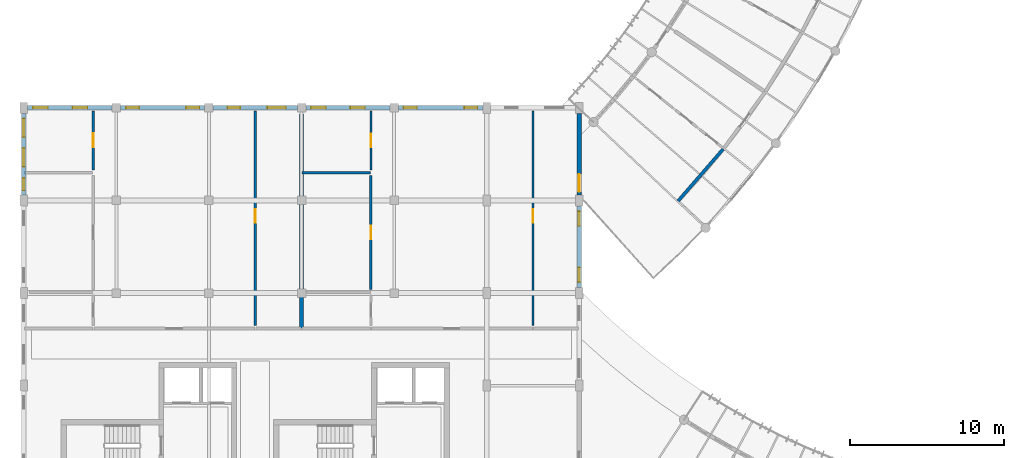
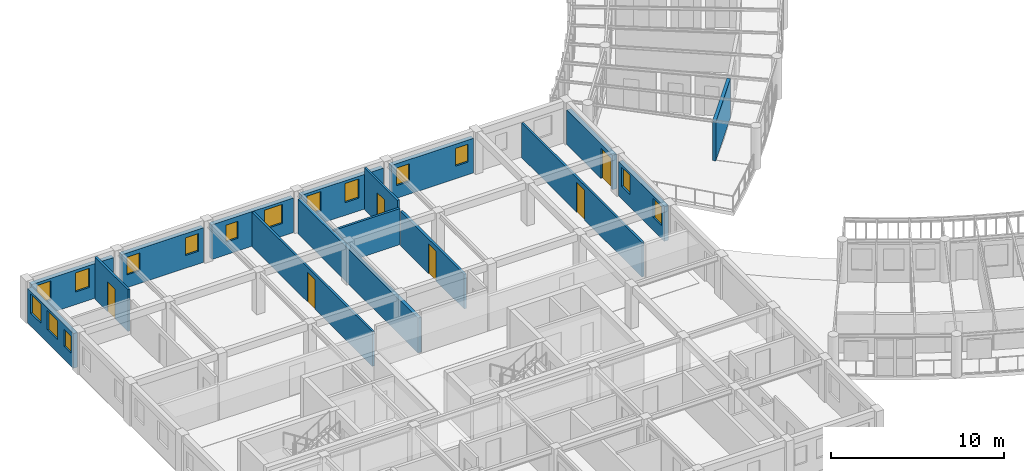
# One storey, part 59 of 101: 16 walls, 15 windows, 6 doors, 21 openings.
"""IFC4 building model written with IfcOpenShell, lengths in metres."""

from ifc_helpers import new_model, si_unit, direction, frame, frame_2d, origin, place, context, subcontext, project, spatial, rectangle, extrude, material, layer, layer_set, type_object, element, fill, save


model = new_model("IFC4")

# Units and contexts
model_context = context("Model", 3, precision=1e-05, world=origin(), true_north=direction((0.0, 1.0)))
body_context = subcontext(model_context, "Body", "Model", "MODEL_VIEW")
ifc_project = project(units=[si_unit("LENGTHUNIT", "METRE"), si_unit("AREAUNIT", "SQUARE_METRE"), si_unit("VOLUMEUNIT", "CUBIC_METRE"), si_unit("PLANEANGLEUNIT", "RADIAN"), si_unit("MASSUNIT", "GRAM", prefix="KILO"), si_unit("POWERUNIT", "WATT"), si_unit("THERMODYNAMICTEMPERATUREUNIT", "KELVIN")], contexts=[model_context])

# Site, building, storey
site_placement = place(None, origin())
site = spatial("IfcSite", under=ifc_project, at=site_placement, CompositionType="ELEMENT")
building_placement = place(site_placement, origin())
building = spatial("IfcBuilding", under=site, at=building_placement, Name="Ruvembo Vaulted Housing Court", CompositionType="ELEMENT")
storey_placement = place(building_placement, frame((0.0, 0.0, 17.300048828125)))
storey = spatial("IfcBuildingStorey", under=building, at=storey_placement, Name="L05", CompositionType="ELEMENT", Elevation=17.300048828125)

# Walls
ifc_material_1 = material(Name="Concrete Blockwork 210", Category="masonry")
ifc_layer_1 = layer(ifc_material_1, 0.2099609375, Name="Concrete Blockwork 210")
ifc_layer_set_1 = layer_set([ifc_layer_1], Name="Concrete Blockwork 210")
wall_type_1 = type_object("IfcWallType", Name="WL-CORR-210", PredefinedType="SOLIDWALL", material=ifc_layer_set_1)
wall_1_placement = place(storey_placement, frame((42.414794921875, 35.964111328125, 0.0), z_axis=(0.0, 0.0, 1.0), x_axis=(0.655477564809, 0.755214646331, 0.0)))
element("IfcWall", 1, at=wall_1_placement, inside=storey, type_object=wall_type_1, Name="L05 Suite SC1-L05-U1 Gallery Wall WL-INT-L05-01578", PredefinedType="SOLIDWALL", context=body_context, shape_type="SweptSolid", body=[
    extrude(rectangle(XDim=4.46728515625, YDim=0.2099609375, at=frame_2d((2.233642578125, 0.0))), origin(), (0.0, 0.0, 1.0), 2.75390625),
])
ifc_material_2 = material(Name="Acoustic Masonry Demising 230", Category="masonry")
ifc_layer_2 = layer(ifc_material_2, 0.22998046875, Name="Acoustic Masonry Demising 230")
ifc_layer_set_2 = layer_set([ifc_layer_2], Name="Acoustic Masonry Demising 230")
wall_type_2 = type_object("IfcWallType", Name="WL-DEM-230", PredefinedType="SOLIDWALL", material=ifc_layer_set_2)
wall_2_placement = place(storey_placement, frame((18.0, 27.739990234375, 0.0), z_axis=(0.0, 0.0, 1.0), x_axis=(0.0, 1.0, 0.0)))
element("IfcWall", 2, at=wall_2_placement, inside=storey, type_object=wall_type_2, Name="L05 Demising A-L05-N1 WL-INT-L05-01413", PredefinedType="SOLIDWALL", context=body_context, shape_type="SweptSolid", body=[
    extrude(rectangle(XDim=13.8701171875, YDim=0.22998046875, at=frame_2d((6.93505859375, 0.0))), origin(), (0.0, 0.0, 1.0), 2.4580078125),
])

# Wall, openings, windows
ifc_material_3 = material(Name="Rendered Masonry 285", Category="masonry")
ifc_layer_3 = layer(ifc_material_3, 0.284912109375, Name="Rendered Masonry 285")
ifc_layer_set_3 = layer_set([ifc_layer_3], Name="Rendered Masonry 285")
wall_type_3 = type_object("IfcWallType", Name="WL-EXT-285", PredefinedType="STANDARD", material=ifc_layer_set_3)
wall_3_placement = place(storey_placement, frame((36.0, 30.35009765625, 0.0), z_axis=(0.0, 0.0, 1.0), x_axis=(0.0, 1.0, 0.0)))
wall_3 = element("IfcWall", 3, at=wall_3_placement, inside=storey, type_object=wall_type_3, Name="Block A L05 Exterior Wall EAST #5", PredefinedType="STANDARD", context=body_context, shape_type="SweptSolid", body=[
    extrude(rectangle(XDim=5.2998046875, YDim=0.284912109375, at=frame_2d((2.64990234375, 0.0))), origin(), (0.0, 0.0, 1.0), 2.447021484375),
])
opening_1_placement = place(wall_3_placement, frame((0.35009765625, 0.0, 0.89990234375)))
opening_1 = element("IfcOpeningElement", 4, at=opening_1_placement, cuts=wall_3, Name="Opening W07", PredefinedType="OPENING", context=body_context, shape_type="SweptSolid", body=[
    extrude(rectangle(XDim=0.949951171875, YDim=1.35009765625, at=frame_2d((0.47509765625, 0.675048828125))), frame((0.0, 0.15234375, 0.0), z_axis=(0.0, -1.0, 0.0), x_axis=(1.0, 0.0, 0.0)), (0.0, 0.0, 1.0), 0.304931640625),
])
opening_2_placement = place(wall_3_placement, frame((4.0, 0.0, 0.89990234375)))
opening_2 = element("IfcOpeningElement", 5, at=opening_2_placement, cuts=wall_3, Name="Opening W07", PredefinedType="OPENING", context=body_context, shape_type="SweptSolid", body=[
    extrude(rectangle(XDim=0.949951171875, YDim=1.35009765625, at=frame_2d((0.47509765625, 0.675048828125))), frame((0.0, 0.15234375, 0.0), z_axis=(0.0, -1.0, 0.0), x_axis=(1.0, 0.0, 0.0)), (0.0, 0.0, 1.0), 0.304931640625),
])
ifc_material_4 = material(Name="Double Solar-Control Glazing in Aluminium Frame", Category="aluminium")
window_type_1 = type_object("IfcWindowType", Name="WIN-0950x1350", PartitioningType="SINGLE_PANEL", PredefinedType="WINDOW", material=ifc_material_4)
window_1_placement = place(opening_1_placement, origin())
window_1 = element("IfcWindow", 6, at=window_1_placement, inside=storey, type_object=window_type_1, Name="Block A L05 Window #225", OverallHeight=1.35009765625, OverallWidth=0.949951171875, PartitioningType="SINGLE_PANEL", PredefinedType="WINDOW", context=body_context, shape_type="SweptSolid", body=[
    extrude(rectangle(XDim=0.949951171875, YDim=1.35009765625, at=frame_2d((0.47509765625, 0.675048828125))), frame((0.0, 0.030029296875, 0.0), z_axis=(0.0, -1.0, 0.0), x_axis=(1.0, 0.0, 0.0)), (0.0, 0.0, 1.0), 0.06005859375),
])
fill(opening_1, window_1)
window_2_placement = place(opening_2_placement, origin())
window_2 = element("IfcWindow", 7, at=window_2_placement, inside=storey, type_object=window_type_1, Name="Block A L05 Window #226", OverallHeight=1.35009765625, OverallWidth=0.949951171875, PartitioningType="SINGLE_PANEL", PredefinedType="WINDOW", context=body_context, shape_type="SweptSolid", body=[
    extrude(rectangle(XDim=0.949951171875, YDim=1.35009765625, at=frame_2d((0.47509765625, 0.675048828125))), frame((0.0, 0.030029296875, 0.0), z_axis=(0.0, -1.0, 0.0), x_axis=(1.0, 0.0, 0.0)), (0.0, 0.0, 1.0), 0.06005859375),
])
fill(opening_2, window_2)

# Wall, opening, door
wall_4_placement = place(storey_placement, frame((36.0, 36.35009765625, 0.0), z_axis=(0.0, 0.0, 1.0), x_axis=(0.0, 1.0, 0.0)))
wall_4 = element("IfcWall", 8, at=wall_4_placement, inside=storey, type_object=wall_type_3, Name="Block A L05 Exterior Wall EAST #6", PredefinedType="STANDARD", context=body_context, shape_type="SweptSolid", body=[
    extrude(rectangle(XDim=5.2998046875, YDim=0.284912109375, at=frame_2d((2.64990234375, 0.0))), origin(), (0.0, 0.0, 1.0), 2.447021484375),
])
opening_3_placement = place(wall_4_placement, frame((0.199951171875, 0.0, 0.0)))
opening_3 = element("IfcOpeningElement", 9, at=opening_3_placement, cuts=wall_4, Name="Opening GD1", PredefinedType="OPENING", context=body_context, shape_type="SweptSolid", body=[
    extrude(rectangle(XDim=1.14990234375, YDim=2.14990234375, at=frame_2d((0.574951171875, 1.074951171875))), frame((0.0, 0.15234375, 0.0), z_axis=(0.0, -1.0, 0.0), x_axis=(1.0, 0.0, 0.0)), (0.0, 0.0, 1.0), 0.304931640625),
])
ifc_material_5 = material(Name="Thermally Broken Glazed Aluminium", Category="aluminium")
door_type_1 = type_object("IfcDoorType", Name="DR-GAL-1150x2150", OperationType="NOTDEFINED", PredefinedType="DOOR", material=ifc_material_5)
door_1_placement = place(opening_3_placement, frame((1.14990234375, 0.0, 0.0), z_axis=(0.0, 0.0, 1.0), x_axis=(-1.0, 0.0, 0.0)))
door_1 = element("IfcDoor", 10, at=door_1_placement, inside=storey, type_object=door_type_1, Name="Block A L05 Terrace or Gallery Door DR-TER-A-L05-022", OperationType="SINGLE_SWING_LEFT", OverallHeight=2.14990234375, OverallWidth=1.14990234375, PredefinedType="DOOR", context=body_context, shape_type="SweptSolid", body=[
    extrude(rectangle(XDim=1.14990234375, YDim=2.14990234375, at=frame_2d((0.574951171875, 1.074951171875))), frame((0.0, 0.02490234375, 0.0), z_axis=(0.0, -1.0, 0.0), x_axis=(1.0, 0.0, 0.0)), (0.0, 0.0, 1.0), 0.050048828125),
])
fill(opening_3, door_1)

# Wall, openings, windows
wall_5_placement = place(storey_placement, frame((29.75, 42.0, 0.0), z_axis=(0.0, 0.0, 1.0), x_axis=(-1.0, 0.0, 0.0)))
wall_5 = element("IfcWall", 11, at=wall_5_placement, inside=storey, type_object=wall_type_3, Name="Block A L05 Exterior Wall COURTYARD #2", PredefinedType="STANDARD", context=body_context, shape_type="SweptSolid", body=[
    extrude(rectangle(XDim=5.47509765625, YDim=0.284912109375, at=frame_2d((2.737548828125, 0.0))), origin(), (0.0, 0.0, 1.0), 2.447021484375),
])
opening_4_placement = place(wall_5_placement, frame((0.35009765625, 0.0, 0.89990234375)))
opening_4 = element("IfcOpeningElement", 12, at=opening_4_placement, cuts=wall_5, Name="Opening W03", PredefinedType="OPENING", context=body_context, shape_type="SweptSolid", body=[
    extrude(rectangle(XDim=0.85009765625, YDim=1.25, at=frame_2d((0.425048828125, 0.625))), frame((0.0, 0.15234375, 0.0), z_axis=(0.0, -1.0, 0.0), x_axis=(1.0, 0.0, 0.0)), (0.0, 0.0, 1.0), 0.304931640625),
])
opening_5_placement = place(wall_5_placement, frame((4.27490234375, 0.0, 0.89990234375)))
opening_5 = element("IfcOpeningElement", 13, at=opening_5_placement, cuts=wall_5, Name="Opening W03", PredefinedType="OPENING", context=body_context, shape_type="SweptSolid", body=[
    extrude(rectangle(XDim=0.85009765625, YDim=1.25, at=frame_2d((0.425048828125, 0.625))), frame((0.0, 0.15234375, 0.0), z_axis=(0.0, -1.0, 0.0), x_axis=(1.0, 0.0, 0.0)), (0.0, 0.0, 1.0), 0.304931640625),
])
window_type_2 = type_object("IfcWindowType", Name="WIN-0850x1250", PartitioningType="SINGLE_PANEL", PredefinedType="WINDOW", material=ifc_material_4)
window_3_placement = place(opening_4_placement, origin())
window_3 = element("IfcWindow", 14, at=window_3_placement, inside=storey, type_object=window_type_2, Name="Block A L05 Window #229", OverallHeight=1.25, OverallWidth=0.85009765625, PartitioningType="SINGLE_PANEL", PredefinedType="WINDOW", context=body_context, shape_type="SweptSolid", body=[
    extrude(rectangle(XDim=0.85009765625, YDim=1.25, at=frame_2d((0.425048828125, 0.625))), frame((0.0, 0.030029296875, 0.0), z_axis=(0.0, -1.0, 0.0), x_axis=(1.0, 0.0, 0.0)), (0.0, 0.0, 1.0), 0.06005859375),
])
fill(opening_4, window_3)
window_4_placement = place(opening_5_placement, origin())
window_4 = element("IfcWindow", 15, at=window_4_placement, inside=storey, type_object=window_type_2, Name="Block A L05 Window #230", OverallHeight=1.25, OverallWidth=0.85009765625, PartitioningType="SINGLE_PANEL", PredefinedType="WINDOW", context=body_context, shape_type="SweptSolid", body=[
    extrude(rectangle(XDim=0.85009765625, YDim=1.25, at=frame_2d((0.425048828125, 0.625))), frame((0.0, 0.030029296875, 0.0), z_axis=(0.0, -1.0, 0.0), x_axis=(1.0, 0.0, 0.0)), (0.0, 0.0, 1.0), 0.06005859375),
])
fill(opening_5, window_4)

wall_6_placement = place(storey_placement, frame((23.72509765625, 42.0, 0.0), z_axis=(0.0, 0.0, 1.0), x_axis=(-1.0, 0.0, 0.0)))
wall_6 = element("IfcWall", 16, at=wall_6_placement, inside=storey, type_object=wall_type_3, Name="Block A L05 Exterior Wall COURTYARD #3", PredefinedType="STANDARD", context=body_context, shape_type="SweptSolid", body=[
    extrude(rectangle(XDim=5.4501953125, YDim=0.284912109375, at=frame_2d((2.72509765625, 0.0))), origin(), (0.0, 0.0, 1.0), 2.447021484375),
])
opening_6_placement = place(wall_6_placement, frame((1.614990234375, 0.0, 0.89990234375)))
opening_6 = element("IfcOpeningElement", 17, at=opening_6_placement, cuts=wall_6, Name="Opening W07", PredefinedType="OPENING", context=body_context, shape_type="SweptSolid", body=[
    extrude(rectangle(XDim=0.949951171875, YDim=1.35009765625, at=frame_2d((0.47509765625, 0.675048828125))), frame((0.0, 0.15234375, 0.0), z_axis=(0.0, -1.0, 0.0), x_axis=(1.0, 0.0, 0.0)), (0.0, 0.0, 1.0), 0.304931640625),
])
opening_7_placement = place(wall_6_placement, frame((4.14990234375, 0.0, 0.89990234375)))
opening_7 = element("IfcOpeningElement", 18, at=opening_7_placement, cuts=wall_6, Name="Opening W07", PredefinedType="OPENING", context=body_context, shape_type="SweptSolid", body=[
    extrude(rectangle(XDim=0.949951171875, YDim=1.35009765625, at=frame_2d((0.47509765625, 0.675048828125))), frame((0.0, 0.15234375, 0.0), z_axis=(0.0, -1.0, 0.0), x_axis=(1.0, 0.0, 0.0)), (0.0, 0.0, 1.0), 0.304931640625),
])
window_5_placement = place(opening_6_placement, origin())
window_5 = element("IfcWindow", 19, at=window_5_placement, inside=storey, type_object=window_type_1, Name="Block A L05 Window #231", OverallHeight=1.35009765625, OverallWidth=0.949951171875, PartitioningType="SINGLE_PANEL", PredefinedType="WINDOW", context=body_context, shape_type="SweptSolid", body=[
    extrude(rectangle(XDim=0.949951171875, YDim=1.35009765625, at=frame_2d((0.47509765625, 0.675048828125))), frame((0.0, 0.030029296875, 0.0), z_axis=(0.0, -1.0, 0.0), x_axis=(1.0, 0.0, 0.0)), (0.0, 0.0, 1.0), 0.06005859375),
])
fill(opening_6, window_5)
window_6_placement = place(opening_7_placement, origin())
window_6 = element("IfcWindow", 20, at=window_6_placement, inside=storey, type_object=window_type_1, Name="Block A L05 Window #232", OverallHeight=1.35009765625, OverallWidth=0.949951171875, PartitioningType="SINGLE_PANEL", PredefinedType="WINDOW", context=body_context, shape_type="SweptSolid", body=[
    extrude(rectangle(XDim=0.949951171875, YDim=1.35009765625, at=frame_2d((0.47509765625, 0.675048828125))), frame((0.0, 0.030029296875, 0.0), z_axis=(0.0, -1.0, 0.0), x_axis=(1.0, 0.0, 0.0)), (0.0, 0.0, 1.0), 0.06005859375),
])
fill(opening_7, window_6)

wall_7_placement = place(storey_placement, frame((17.72509765625, 42.0, 0.0), z_axis=(0.0, 0.0, 1.0), x_axis=(-1.0, 0.0, 0.0)))
wall_7 = element("IfcWall", 21, at=wall_7_placement, inside=storey, type_object=wall_type_3, Name="Block A L05 Exterior Wall COURTYARD #4", PredefinedType="STANDARD", context=body_context, shape_type="SweptSolid", body=[
    extrude(rectangle(XDim=5.4501953125, YDim=0.284912109375, at=frame_2d((2.72509765625, 0.0))), origin(), (0.0, 0.0, 1.0), 2.447021484375),
])
opening_8_placement = place(wall_7_placement, frame((0.742431640625, 0.0, 0.89990234375)))
opening_8 = element("IfcOpeningElement", 22, at=opening_8_placement, cuts=wall_7, Name="Opening W12", PredefinedType="OPENING", context=body_context, shape_type="SweptSolid", body=[
    extrude(rectangle(XDim=1.199951171875, YDim=1.35009765625, at=frame_2d((0.60009765625, 0.675048828125))), frame((0.0, 0.15234375, 0.0), z_axis=(0.0, -1.0, 0.0), x_axis=(1.0, 0.0, 0.0)), (0.0, 0.0, 1.0), 0.304931640625),
])
opening_9_placement = place(wall_7_placement, frame((3.70751953125, 0.0, 0.89990234375)))
opening_9 = element("IfcOpeningElement", 23, at=opening_9_placement, cuts=wall_7, Name="Opening W02", PredefinedType="OPENING", context=body_context, shape_type="SweptSolid", body=[
    extrude(rectangle(XDim=0.800048828125, YDim=1.199951171875, at=frame_2d((0.39990234375, 0.60009765625))), frame((0.0, 0.15234375, 0.0), z_axis=(0.0, -1.0, 0.0), x_axis=(1.0, 0.0, 0.0)), (0.0, 0.0, 1.0), 0.304931640625),
])
window_type_3 = type_object("IfcWindowType", Name="WIN-0800x1200", PartitioningType="SINGLE_PANEL", PredefinedType="WINDOW", material=ifc_material_4)
window_7_placement = place(opening_9_placement, origin())
window_7 = element("IfcWindow", 24, at=window_7_placement, inside=storey, type_object=window_type_3, Name="Block A L05 Window #234", OverallHeight=1.199951171875, OverallWidth=0.800048828125, PartitioningType="SINGLE_PANEL", PredefinedType="WINDOW", context=body_context, shape_type="SweptSolid", body=[
    extrude(rectangle(XDim=0.800048828125, YDim=1.199951171875, at=frame_2d((0.39990234375, 0.60009765625))), frame((0.0, 0.030029296875, 0.0), z_axis=(0.0, -1.0, 0.0), x_axis=(1.0, 0.0, 0.0)), (0.0, 0.0, 1.0), 0.06005859375),
])
fill(opening_9, window_7)
window_type_4 = type_object("IfcWindowType", Name="WIN-1200x1350", PartitioningType="SINGLE_PANEL", PredefinedType="WINDOW", material=ifc_material_4)
window_8_placement = place(opening_8_placement, origin())
window_8 = element("IfcWindow", 25, at=window_8_placement, inside=storey, type_object=window_type_4, Name="Block A L05 Window #233", OverallHeight=1.35009765625, OverallWidth=1.199951171875, PartitioningType="SINGLE_PANEL", PredefinedType="WINDOW", context=body_context, shape_type="SweptSolid", body=[
    extrude(rectangle(XDim=1.199951171875, YDim=1.35009765625, at=frame_2d((0.60009765625, 0.675048828125))), frame((0.0, 0.030029296875, 0.0), z_axis=(0.0, -1.0, 0.0), x_axis=(1.0, 0.0, 0.0)), (0.0, 0.0, 1.0), 0.06005859375),
])
fill(opening_8, window_8)

wall_8_placement = place(storey_placement, frame((11.72509765625, 42.0, 0.0), z_axis=(0.0, 0.0, 1.0), x_axis=(-1.0, 0.0, 0.0)))
wall_8 = element("IfcWall", 26, at=wall_8_placement, inside=storey, type_object=wall_type_3, Name="Block A L05 Exterior Wall COURTYARD #5", PredefinedType="STANDARD", context=body_context, shape_type="SweptSolid", body=[
    extrude(rectangle(XDim=5.4501953125, YDim=0.284912109375, at=frame_2d((2.72509765625, 0.0))), origin(), (0.0, 0.0, 1.0), 2.447021484375),
])
opening_10_placement = place(wall_8_placement, frame((0.35009765625, 0.0, 0.89990234375)))
opening_10 = element("IfcOpeningElement", 27, at=opening_10_placement, cuts=wall_8, Name="Opening W03", PredefinedType="OPENING", context=body_context, shape_type="SweptSolid", body=[
    extrude(rectangle(XDim=0.85009765625, YDim=1.25, at=frame_2d((0.425048828125, 0.625))), frame((0.0, 0.15234375, 0.0), z_axis=(0.0, -1.0, 0.0), x_axis=(1.0, 0.0, 0.0)), (0.0, 0.0, 1.0), 0.304931640625),
])
opening_11_placement = place(wall_8_placement, frame((4.25, 0.0, 0.89990234375)))
opening_11 = element("IfcOpeningElement", 28, at=opening_11_placement, cuts=wall_8, Name="Opening W03", PredefinedType="OPENING", context=body_context, shape_type="SweptSolid", body=[
    extrude(rectangle(XDim=0.85009765625, YDim=1.25, at=frame_2d((0.425048828125, 0.625))), frame((0.0, 0.15234375, 0.0), z_axis=(0.0, -1.0, 0.0), x_axis=(1.0, 0.0, 0.0)), (0.0, 0.0, 1.0), 0.304931640625),
])
window_9_placement = place(opening_10_placement, origin())
window_9 = element("IfcWindow", 29, at=window_9_placement, inside=storey, type_object=window_type_2, Name="Block A L05 Window #235", OverallHeight=1.25, OverallWidth=0.85009765625, PartitioningType="SINGLE_PANEL", PredefinedType="WINDOW", context=body_context, shape_type="SweptSolid", body=[
    extrude(rectangle(XDim=0.85009765625, YDim=1.25, at=frame_2d((0.425048828125, 0.625))), frame((0.0, 0.030029296875, 0.0), z_axis=(0.0, -1.0, 0.0), x_axis=(1.0, 0.0, 0.0)), (0.0, 0.0, 1.0), 0.06005859375),
])
fill(opening_10, window_9)
window_10_placement = place(opening_11_placement, origin())
window_10 = element("IfcWindow", 30, at=window_10_placement, inside=storey, type_object=window_type_2, Name="Block A L05 Window #236", OverallHeight=1.25, OverallWidth=0.85009765625, PartitioningType="SINGLE_PANEL", PredefinedType="WINDOW", context=body_context, shape_type="SweptSolid", body=[
    extrude(rectangle(XDim=0.85009765625, YDim=1.25, at=frame_2d((0.425048828125, 0.625))), frame((0.0, 0.030029296875, 0.0), z_axis=(0.0, -1.0, 0.0), x_axis=(1.0, 0.0, 0.0)), (0.0, 0.0, 1.0), 0.06005859375),
])
fill(opening_11, window_10)

wall_9_placement = place(storey_placement, frame((5.72509765625, 42.0, 0.0), z_axis=(0.0, 0.0, 1.0), x_axis=(-1.0, 0.0, 0.0)))
wall_9 = element("IfcWall", 31, at=wall_9_placement, inside=storey, type_object=wall_type_3, Name="Block A L05 Exterior Wall COURTYARD #6", PredefinedType="STANDARD", context=body_context, shape_type="SweptSolid", body=[
    extrude(rectangle(XDim=5.47509765625, YDim=0.284912109375, at=frame_2d((2.737548828125, 0.0))), origin(), (0.0, 0.0, 1.0), 2.447021484375),
])
opening_12_placement = place(wall_9_placement, frame((1.614990234375, 0.0, 0.89990234375)))
opening_12 = element("IfcOpeningElement", 32, at=opening_12_placement, cuts=wall_9, Name="Opening W07", PredefinedType="OPENING", context=body_context, shape_type="SweptSolid", body=[
    extrude(rectangle(XDim=0.949951171875, YDim=1.35009765625, at=frame_2d((0.47509765625, 0.675048828125))), frame((0.0, 0.15234375, 0.0), z_axis=(0.0, -1.0, 0.0), x_axis=(1.0, 0.0, 0.0)), (0.0, 0.0, 1.0), 0.304931640625),
])
opening_13_placement = place(wall_9_placement, frame((4.175048828125, 0.0, 0.89990234375)))
opening_13 = element("IfcOpeningElement", 33, at=opening_13_placement, cuts=wall_9, Name="Opening W07", PredefinedType="OPENING", context=body_context, shape_type="SweptSolid", body=[
    extrude(rectangle(XDim=0.949951171875, YDim=1.35009765625, at=frame_2d((0.47509765625, 0.675048828125))), frame((0.0, 0.15234375, 0.0), z_axis=(0.0, -1.0, 0.0), x_axis=(1.0, 0.0, 0.0)), (0.0, 0.0, 1.0), 0.304931640625),
])
window_11_placement = place(opening_12_placement, origin())
window_11 = element("IfcWindow", 34, at=window_11_placement, inside=storey, type_object=window_type_1, Name="Block A L05 Window #237", OverallHeight=1.35009765625, OverallWidth=0.949951171875, PartitioningType="SINGLE_PANEL", PredefinedType="WINDOW", context=body_context, shape_type="SweptSolid", body=[
    extrude(rectangle(XDim=0.949951171875, YDim=1.35009765625, at=frame_2d((0.47509765625, 0.675048828125))), frame((0.0, 0.030029296875, 0.0), z_axis=(0.0, -1.0, 0.0), x_axis=(1.0, 0.0, 0.0)), (0.0, 0.0, 1.0), 0.06005859375),
])
fill(opening_12, window_11)
window_12_placement = place(opening_13_placement, origin())
window_12 = element("IfcWindow", 35, at=window_12_placement, inside=storey, type_object=window_type_1, Name="Block A L05 Window #238", OverallHeight=1.35009765625, OverallWidth=0.949951171875, PartitioningType="SINGLE_PANEL", PredefinedType="WINDOW", context=body_context, shape_type="SweptSolid", body=[
    extrude(rectangle(XDim=0.949951171875, YDim=1.35009765625, at=frame_2d((0.47509765625, 0.675048828125))), frame((0.0, 0.030029296875, 0.0), z_axis=(0.0, -1.0, 0.0), x_axis=(1.0, 0.0, 0.0)), (0.0, 0.0, 1.0), 0.06005859375),
])
fill(opening_13, window_12)

wall_10_placement = place(storey_placement, frame((0.0, 41.64990234375, 0.0), z_axis=(0.0, 0.0, 1.0), x_axis=(0.0, -1.0, 0.0)))
wall_10 = element("IfcWall", 36, at=wall_10_placement, inside=storey, type_object=wall_type_3, Name="Block A L05 Exterior Wall WEST #1", PredefinedType="STANDARD", context=body_context, shape_type="SweptSolid", body=[
    extrude(rectangle(XDim=5.2998046875, YDim=0.284912109375, at=frame_2d((2.64990234375, 0.0))), origin(), (0.0, 0.0, 1.0), 2.447021484375),
])
opening_14_placement = place(wall_10_placement, frame((0.35009765625, 0.0, 0.89990234375)))
opening_14 = element("IfcOpeningElement", 37, at=opening_14_placement, cuts=wall_10, Name="Opening W12", PredefinedType="OPENING", context=body_context, shape_type="SweptSolid", body=[
    extrude(rectangle(XDim=1.199951171875, YDim=1.35009765625, at=frame_2d((0.60009765625, 0.675048828125))), frame((0.0, 0.15234375, 0.0), z_axis=(0.0, -1.0, 0.0), x_axis=(1.0, 0.0, 0.0)), (0.0, 0.0, 1.0), 0.304931640625),
])
opening_15_placement = place(wall_10_placement, frame((2.260009765625, 0.0, 0.89990234375)))
opening_15 = element("IfcOpeningElement", 38, at=opening_15_placement, cuts=wall_10, Name="Opening W12", PredefinedType="OPENING", context=body_context, shape_type="SweptSolid", body=[
    extrude(rectangle(XDim=1.199951171875, YDim=1.35009765625, at=frame_2d((0.60009765625, 0.675048828125))), frame((0.0, 0.15234375, 0.0), z_axis=(0.0, -1.0, 0.0), x_axis=(1.0, 0.0, 0.0)), (0.0, 0.0, 1.0), 0.304931640625),
])
opening_16_placement = place(wall_10_placement, frame((4.195068359375, 0.0, 0.89990234375)))
opening_16 = element("IfcOpeningElement", 39, at=opening_16_placement, cuts=wall_10, Name="Opening W02", PredefinedType="OPENING", context=body_context, shape_type="SweptSolid", body=[
    extrude(rectangle(XDim=0.800048828125, YDim=1.199951171875, at=frame_2d((0.39990234375, 0.60009765625))), frame((0.0, 0.15234375, 0.0), z_axis=(0.0, -1.0, 0.0), x_axis=(1.0, 0.0, 0.0)), (0.0, 0.0, 1.0), 0.304931640625),
])
window_13_placement = place(opening_16_placement, origin())
window_13 = element("IfcWindow", 40, at=window_13_placement, inside=storey, type_object=window_type_3, Name="Block A L05 Window #241", OverallHeight=1.199951171875, OverallWidth=0.800048828125, PartitioningType="SINGLE_PANEL", PredefinedType="WINDOW", context=body_context, shape_type="SweptSolid", body=[
    extrude(rectangle(XDim=0.800048828125, YDim=1.199951171875, at=frame_2d((0.39990234375, 0.60009765625))), frame((0.0, 0.030029296875, 0.0), z_axis=(0.0, -1.0, 0.0), x_axis=(1.0, 0.0, 0.0)), (0.0, 0.0, 1.0), 0.06005859375),
])
fill(opening_16, window_13)
window_14_placement = place(opening_14_placement, origin())
window_14 = element("IfcWindow", 41, at=window_14_placement, inside=storey, type_object=window_type_4, Name="Block A L05 Window #239", OverallHeight=1.35009765625, OverallWidth=1.199951171875, PartitioningType="SINGLE_PANEL", PredefinedType="WINDOW", context=body_context, shape_type="SweptSolid", body=[
    extrude(rectangle(XDim=1.199951171875, YDim=1.35009765625, at=frame_2d((0.60009765625, 0.675048828125))), frame((0.0, 0.030029296875, 0.0), z_axis=(0.0, -1.0, 0.0), x_axis=(1.0, 0.0, 0.0)), (0.0, 0.0, 1.0), 0.06005859375),
])
fill(opening_14, window_14)
window_15_placement = place(opening_15_placement, origin())
window_15 = element("IfcWindow", 42, at=window_15_placement, inside=storey, type_object=window_type_4, Name="Block A L05 Window #240", OverallHeight=1.35009765625, OverallWidth=1.199951171875, PartitioningType="SINGLE_PANEL", PredefinedType="WINDOW", context=body_context, shape_type="SweptSolid", body=[
    extrude(rectangle(XDim=1.199951171875, YDim=1.35009765625, at=frame_2d((0.60009765625, 0.675048828125))), frame((0.0, 0.030029296875, 0.0), z_axis=(0.0, -1.0, 0.0), x_axis=(1.0, 0.0, 0.0)), (0.0, 0.0, 1.0), 0.06005859375),
])
fill(opening_15, window_15)

# Wall, opening, door
ifc_material_6 = material(Name="Acoustic Stud Partition 135", Category="gypsum")
ifc_layer_4 = layer(ifc_material_6, 0.135009765625, Name="Acoustic Stud Partition 135")
ifc_layer_set_4 = layer_set([ifc_layer_4], Name="Acoustic Stud Partition 135")
wall_type_4 = type_object("IfcWallType", Name="WL-PART-135", PredefinedType="PARTITIONING", material=ifc_layer_set_4)
wall_11_placement = place(storey_placement, frame((4.5, 37.989990234375, 0.0), z_axis=(0.0, 0.0, 1.0), x_axis=(0.0, 1.0, 0.0)))
wall_11 = element("IfcWall", 43, at=wall_11_placement, inside=storey, type_object=wall_type_4, Name="L05 Flat A-L05-N1 Bedroom 1 WL-INT-L05-01416", PredefinedType="PARTITIONING", context=body_context, shape_type="SweptSolid", body=[
    extrude(rectangle(XDim=3.820068359375, YDim=0.135009765625, at=frame_2d((1.91015625, 0.0))), origin(), (0.0, 0.0, 1.0), 2.96484375),
])
opening_17_placement = place(wall_11_placement, frame((1.4599609375, 0.0, 0.0)))
opening_17 = element("IfcOpeningElement", 44, at=opening_17_placement, cuts=wall_11, Name="Opening ID1", PredefinedType="OPENING", context=body_context, shape_type="SweptSolid", body=[
    extrude(rectangle(XDim=0.89990234375, YDim=2.10009765625, at=frame_2d((0.449951171875, 1.050048828125))), frame((0.0, 0.077392578125, 0.0), z_axis=(0.0, -1.0, 0.0), x_axis=(1.0, 0.0, 0.0)), (0.0, 0.0, 1.0), 0.155029296875),
])
ifc_material_7 = material(Name="FSC Hardwood and Engineered Timber", Category="wood")
door_type_2 = type_object("IfcDoorType", Name="DR-ROOM-0900x2100", OperationType="NOTDEFINED", PredefinedType="DOOR", material=ifc_material_7)
door_2_placement = place(opening_17_placement, origin())
door_2 = element("IfcDoor", 45, at=door_2_placement, inside=storey, type_object=door_type_2, Name="L05 Flat A-L05-N1 Bedroom 1 Door DR-INT-L05-00798", OperationType="SINGLE_SWING_RIGHT", OverallHeight=2.10009765625, OverallWidth=0.89990234375, PredefinedType="DOOR", context=body_context, shape_type="SweptSolid", body=[
    extrude(rectangle(XDim=0.89990234375, YDim=2.10009765625, at=frame_2d((0.449951171875, 1.050048828125))), frame((0.0, 0.02490234375, 0.0), z_axis=(0.0, -1.0, 0.0), x_axis=(1.0, 0.0, 0.0)), (0.0, 0.0, 1.0), 0.050048828125),
])
fill(opening_17, door_2)

wall_12_placement = place(storey_placement, frame((15.0, 27.889892578125, 0.0), z_axis=(0.0, 0.0, 1.0), x_axis=(0.0, 1.0, 0.0)))
wall_12 = element("IfcWall", 46, at=wall_12_placement, inside=storey, type_object=wall_type_4, Name="L05 Flat A-L05-N1 Bedroom 2 WL-INT-L05-01422", PredefinedType="PARTITIONING", context=body_context, shape_type="SweptSolid", body=[
    extrude(rectangle(XDim=13.920166015625, YDim=0.135009765625, at=frame_2d((6.9599609375, 0.0))), origin(), (0.0, 0.0, 1.0), 2.447021484375),
])
opening_18_placement = place(wall_12_placement, frame((6.64990234375, 0.0, 0.0)))
opening_18 = element("IfcOpeningElement", 47, at=opening_18_placement, cuts=wall_12, Name="Opening ID3", PredefinedType="OPENING", context=body_context, shape_type="SweptSolid", body=[
    extrude(rectangle(XDim=0.8798828125, YDim=2.10009765625, at=frame_2d((0.43994140625, 1.050048828125))), frame((0.0, 0.077392578125, 0.0), z_axis=(0.0, -1.0, 0.0), x_axis=(1.0, 0.0, 0.0)), (0.0, 0.0, 1.0), 0.155029296875),
])
door_type_3 = type_object("IfcDoorType", Name="DR-ROOM-0880x2100", OperationType="NOTDEFINED", PredefinedType="DOOR", material=ifc_material_7)
door_3_placement = place(opening_18_placement, origin())
door_3 = element("IfcDoor", 48, at=door_3_placement, inside=storey, type_object=door_type_3, Name="L05 Flat A-L05-N1 Bedroom 2 Door DR-INT-L05-00801", OperationType="SINGLE_SWING_LEFT", OverallHeight=2.10009765625, OverallWidth=0.8798828125, PredefinedType="DOOR", context=body_context, shape_type="SweptSolid", body=[
    extrude(rectangle(XDim=0.8798828125, YDim=2.10009765625, at=frame_2d((0.43994140625, 1.050048828125))), frame((0.0, 0.02490234375, 0.0), z_axis=(0.0, -1.0, 0.0), x_axis=(1.0, 0.0, 0.0)), (0.0, 0.0, 1.0), 0.050048828125),
])
fill(opening_18, door_3)

wall_13_placement = place(storey_placement, frame((22.5, 37.989990234375, 0.0), z_axis=(0.0, 0.0, 1.0), x_axis=(0.0, 1.0, 0.0)))
wall_13 = element("IfcWall", 49, at=wall_13_placement, inside=storey, type_object=wall_type_4, Name="L05 Flat A-L05-N2 Bedroom 1 WL-INT-L05-01425", PredefinedType="PARTITIONING", context=body_context, shape_type="SweptSolid", body=[
    extrude(rectangle(XDim=3.820068359375, YDim=0.135009765625, at=frame_2d((1.91015625, 0.0))), origin(), (0.0, 0.0, 1.0), 2.96484375),
])
opening_19_placement = place(wall_13_placement, frame((1.469970703125, 0.0, 0.0)))
opening_19 = element("IfcOpeningElement", 50, at=opening_19_placement, cuts=wall_13, Name="Opening ID3", PredefinedType="OPENING", context=body_context, shape_type="SweptSolid", body=[
    extrude(rectangle(XDim=0.8798828125, YDim=2.10009765625, at=frame_2d((0.43994140625, 1.050048828125))), frame((0.0, 0.077392578125, 0.0), z_axis=(0.0, -1.0, 0.0), x_axis=(1.0, 0.0, 0.0)), (0.0, 0.0, 1.0), 0.155029296875),
])
door_4_placement = place(opening_19_placement, origin())
door_4 = element("IfcDoor", 51, at=door_4_placement, inside=storey, type_object=door_type_3, Name="L05 Flat A-L05-N2 Bedroom 1 Door DR-INT-L05-00803", OperationType="SINGLE_SWING_LEFT", OverallHeight=2.10009765625, OverallWidth=0.8798828125, PredefinedType="DOOR", context=body_context, shape_type="SweptSolid", body=[
    extrude(rectangle(XDim=0.8798828125, YDim=2.10009765625, at=frame_2d((0.43994140625, 1.050048828125))), frame((0.0, 0.02490234375, 0.0), z_axis=(0.0, -1.0, 0.0), x_axis=(1.0, 0.0, 0.0)), (0.0, 0.0, 1.0), 0.050048828125),
])
fill(opening_19, door_4)

wall_14_placement = place(storey_placement, frame((33.0, 27.889892578125, 0.0), z_axis=(0.0, 0.0, 1.0), x_axis=(0.0, 1.0, 0.0)))
wall_14 = element("IfcWall", 52, at=wall_14_placement, inside=storey, type_object=wall_type_4, Name="L05 Flat A-L05-N2 Bedroom 2 WL-INT-L05-01431", PredefinedType="PARTITIONING", context=body_context, shape_type="SweptSolid", body=[
    extrude(rectangle(XDim=13.920166015625, YDim=0.135009765625, at=frame_2d((6.9599609375, 0.0))), origin(), (0.0, 0.0, 1.0), 2.447021484375),
])
opening_20_placement = place(wall_14_placement, frame((6.64990234375, 0.0, 0.0)))
opening_20 = element("IfcOpeningElement", 53, at=opening_20_placement, cuts=wall_14, Name="Opening ID1", PredefinedType="OPENING", context=body_context, shape_type="SweptSolid", body=[
    extrude(rectangle(XDim=0.89990234375, YDim=2.10009765625, at=frame_2d((0.449951171875, 1.050048828125))), frame((0.0, 0.077392578125, 0.0), z_axis=(0.0, -1.0, 0.0), x_axis=(1.0, 0.0, 0.0)), (0.0, 0.0, 1.0), 0.155029296875),
])
door_5_placement = place(opening_20_placement, origin())
door_5 = element("IfcDoor", 54, at=door_5_placement, inside=storey, type_object=door_type_2, Name="L05 Flat A-L05-N2 Bedroom 2 Door DR-INT-L05-00806", OperationType="SINGLE_SWING_RIGHT", OverallHeight=2.10009765625, OverallWidth=0.89990234375, PredefinedType="DOOR", context=body_context, shape_type="SweptSolid", body=[
    extrude(rectangle(XDim=0.89990234375, YDim=2.10009765625, at=frame_2d((0.449951171875, 1.050048828125))), frame((0.0, 0.02490234375, 0.0), z_axis=(0.0, -1.0, 0.0), x_axis=(1.0, 0.0, 0.0)), (0.0, 0.0, 1.0), 0.050048828125),
])
fill(opening_20, door_5)

# Wall
ifc_material_8 = material(Name="Moisture-Resistant Wet Partition 150", Category="gypsum")
ifc_layer_5 = layer(ifc_material_8, 0.14990234375, Name="Moisture-Resistant Wet Partition 150")
ifc_layer_set_5 = layer_set([ifc_layer_5], Name="Moisture-Resistant Wet Partition 150")
wall_type_5 = type_object("IfcWallType", Name="WL-PART-150", PredefinedType="PARTITIONING", material=ifc_layer_set_5)
wall_15_placement = place(storey_placement, frame((18.0400390625, 37.800048828125, 0.0), z_axis=(0.0, 0.0, 1.0), x_axis=(1.0, 0.0, 0.0)))
element("IfcWall", 55, at=wall_15_placement, inside=storey, type_object=wall_type_5, Name="L05 Flat A-L05-N2 Wet Wall 1 WL-INT-L05-01428", PredefinedType="PARTITIONING", context=body_context, shape_type="SweptSolid", body=[
    extrude(rectangle(XDim=4.419921875, YDim=0.14990234375, at=frame_2d((2.2099609375, 0.0))), origin(), (0.0, 0.0, 1.0), 2.5478515625),
])

# Wall, opening, door
ifc_material_9 = material(Name="Acoustic Service Chase Wall 160", Category="gypsum")
ifc_layer_6 = layer(ifc_material_9, 0.159912109375, Name="Acoustic Service Chase Wall 160")
ifc_layer_set_6 = layer_set([ifc_layer_6], Name="Acoustic Service Chase Wall 160")
wall_type_6 = type_object("IfcWallType", Name="WL-PLUMB-160", PredefinedType="PLUMBINGWALL", material=ifc_layer_set_6)
wall_16_placement = place(storey_placement, frame((22.5, 30.239990234375, 0.0), z_axis=(0.0, 0.0, 1.0), x_axis=(0.0, 1.0, 0.0)))
wall_16 = element("IfcWall", 56, at=wall_16_placement, inside=storey, type_object=wall_type_6, Name="L05 Flat A-L05-N2 Kitchen WL-INT-L05-01426", PredefinedType="PLUMBINGWALL", context=body_context, shape_type="SweptSolid", body=[
    extrude(rectangle(XDim=7.3701171875, YDim=0.159912109375, at=frame_2d((3.68505859375, 0.0))), origin(), (0.0, 0.0, 1.0), 2.447021484375),
])
opening_21_placement = place(wall_16_placement, frame((3.235107421875, 0.0, 0.0)))
opening_21 = element("IfcOpeningElement", 57, at=opening_21_placement, cuts=wall_16, Name="Opening ID1", PredefinedType="OPENING", context=body_context, shape_type="SweptSolid", body=[
    extrude(rectangle(XDim=0.89990234375, YDim=2.10009765625, at=frame_2d((0.449951171875, 1.050048828125))), frame((0.0, 0.08984375, 0.0), z_axis=(0.0, -1.0, 0.0), x_axis=(1.0, 0.0, 0.0)), (0.0, 0.0, 1.0), 0.179931640625),
])
door_6_placement = place(opening_21_placement, origin())
door_6 = element("IfcDoor", 58, at=door_6_placement, inside=storey, type_object=door_type_2, Name="L05 Flat A-L05-N2 Kitchen Door DR-INT-L05-00804", OperationType="SINGLE_SWING_RIGHT", OverallHeight=2.10009765625, OverallWidth=0.89990234375, PredefinedType="DOOR", context=body_context, shape_type="SweptSolid", body=[
    extrude(rectangle(XDim=0.89990234375, YDim=2.10009765625, at=frame_2d((0.449951171875, 1.050048828125))), frame((0.0, 0.02490234375, 0.0), z_axis=(0.0, -1.0, 0.0), x_axis=(1.0, 0.0, 0.0)), (0.0, 0.0, 1.0), 0.050048828125),
])
fill(opening_21, door_6)

save(model, "model.ifc")
